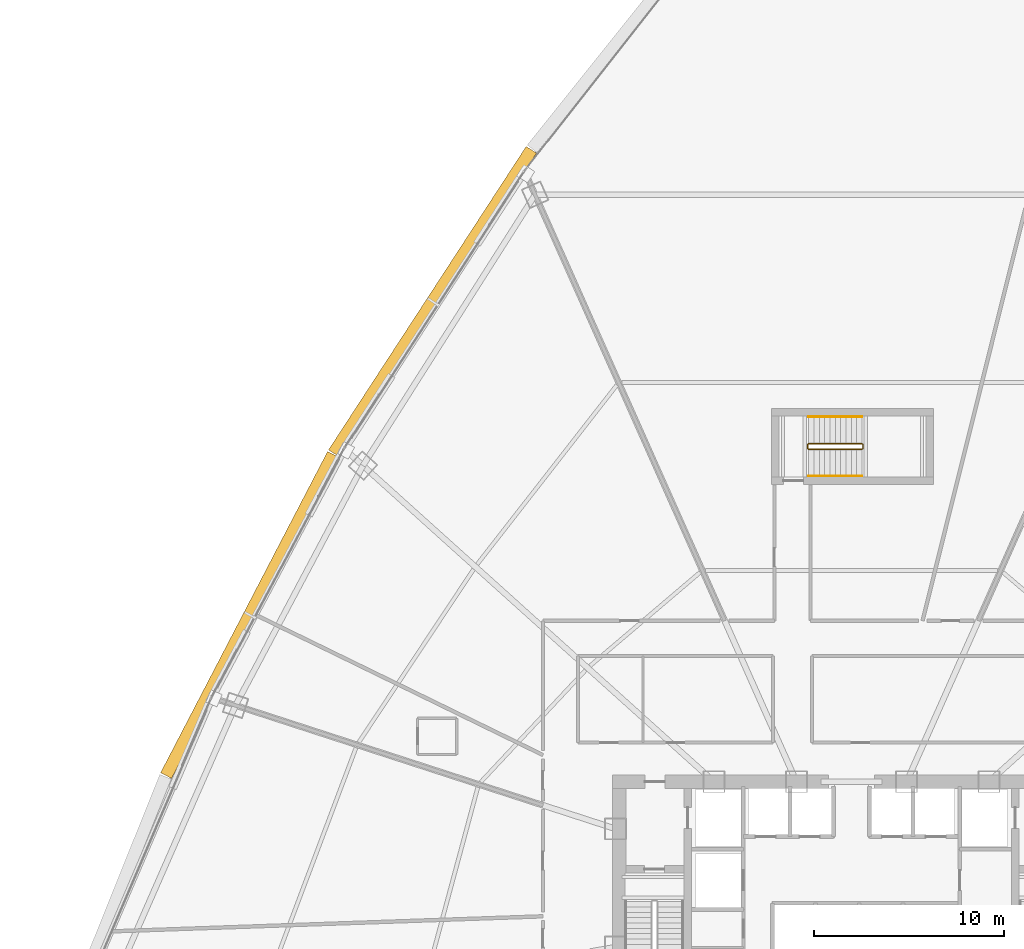
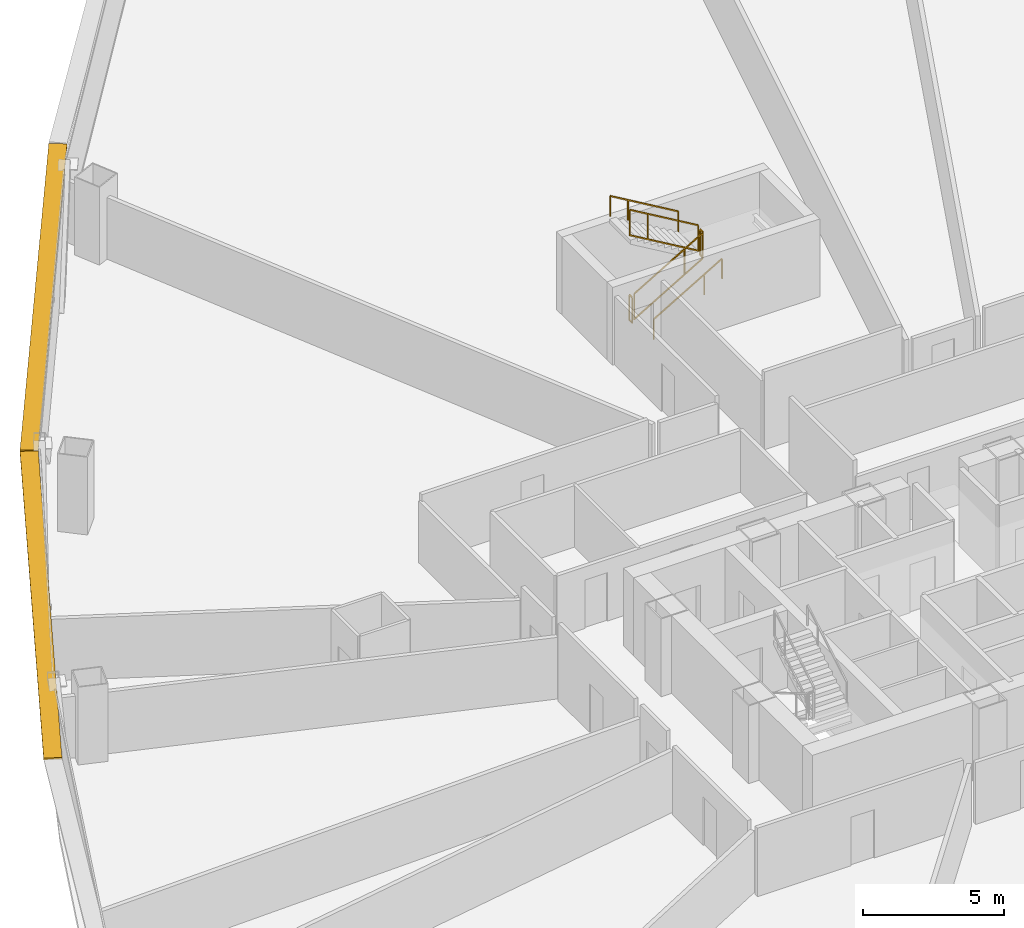
# One storey, part 36 of 37: 6 railings, 2 shading devices.
"""IFC4 building model written with IfcOpenShell, lengths in metres."""

from ifc_helpers import new_model, si_unit, direction, frame, origin, origin_2d, place, context, subcontext, project, spatial, rectangle, extrude, source, transform, mapped, material, layer, layer_set, type_object, element, save


model = new_model("IFC4")

# Units and contexts
model_context = context("Model", 3, precision=1e-05, world=origin(), true_north=direction((0.0, 1.0)))
body_context = subcontext(model_context, "Body", "Model", "MODEL_VIEW")
ifc_project = project(units=[si_unit("LENGTHUNIT", "METRE"), si_unit("AREAUNIT", "SQUARE_METRE"), si_unit("VOLUMEUNIT", "CUBIC_METRE"), si_unit("PLANEANGLEUNIT", "RADIAN"), si_unit("MASSUNIT", "GRAM", prefix="KILO"), si_unit("THERMODYNAMICTEMPERATUREUNIT", "KELVIN"), si_unit("POWERUNIT", "WATT")], contexts=[model_context])

# Site, building, storey
site_placement = place(None, origin())
site = spatial("IfcSite", under=ifc_project, at=site_placement, CompositionType="ELEMENT")
building_placement = place(site_placement, origin())
building = spatial("IfcBuilding", under=site, at=building_placement, Name="Yunzhuo Pagoda Commons", CompositionType="ELEMENT")
storey_placement = place(building_placement, frame((0.0, 0.0, 59.43994140625)))
storey = spatial("IfcBuildingStorey", under=building, at=storey_placement, Name="L15", CompositionType="ELEMENT", Elevation=59.43994140625)

# Railings
ifc_material = material(Name="Anodized aluminium 6063-T6", Category="aluminium")
railing_type_1 = type_object("IfcRailingType", Name="GR-ST3 North Well Guardrail 1155", PredefinedType="GUARDRAIL", material=ifc_material)
railing_1_placement = place(storey_placement, frame((45.75, 57.64990234375, 0.1650390625)))
element("IfcRailing", 1, at=railing_1_placement, inside=storey, type_object=railing_type_1, Name="L15 ST3 stair guard 1", PredefinedType="GUARDRAIL", context=body_context, shape_type="SweptSolid", body=[
    extrude(rectangle(XDim=0.048095703125, YDim=0.048095703125, at=origin_2d()), frame((0.0, 0.0, 1.1259765625), z_axis=(0.861555476484, 0.0, 0.507663432739), x_axis=(0.0, 1.0, 0.0)), (0.0, 0.0, 1.0), 3.25),
    extrude(rectangle(XDim=0.048095703125, YDim=0.048095703125, at=origin_2d()), frame((0.0, 0.0, 0.02392578125), z_axis=(0.861555476484, 0.0, 0.507663432739), x_axis=(0.0, 1.0, 0.0)), (0.0, 0.0, 1.0), 3.25),
    extrude(rectangle(XDim=0.0419921875, YDim=0.0419921875, at=origin_2d()), origin(), (0.0, 0.0, 1.0), 1.101806640625),
    extrude(rectangle(XDim=0.0419921875, YDim=0.0419921875, at=origin_2d()), frame((2.067626953125, 0.0, 1.218505859375)), (0.0, 0.0, 1.0), 1.101806640625),
    extrude(rectangle(XDim=0.0419921875, YDim=0.0419921875, at=origin_2d()), frame((2.800048828125, 0.0, 1.64990234375)), (0.0, 0.0, 1.0), 1.101806640625),
])
railing_2_placement = place(storey_placement, frame((48.60009765625, 57.699951171875, 1.81494140625)))
element("IfcRailing", 2, at=railing_2_placement, inside=storey, type_object=railing_type_1, Name="L15 ST3 stair guard 2", PredefinedType="GUARDRAIL", context=body_context, shape_type="SweptSolid", body=[
    extrude(rectangle(XDim=0.048095703125, YDim=0.048095703125, at=origin_2d()), frame((0.0, 0.0, 1.1259765625), z_axis=(0.0, 1.0, 0.0), x_axis=(-1.0, 0.0, 0.0)), (0.0, 0.0, 1.0), 0.199951171875),
    extrude(rectangle(XDim=0.048095703125, YDim=0.048095703125, at=origin_2d()), frame((0.0, 0.0, 0.02392578125), z_axis=(0.0, 1.0, 0.0), x_axis=(-1.0, 0.0, 0.0)), (0.0, 0.0, 1.0), 0.199951171875),
    extrude(rectangle(XDim=0.0419921875, YDim=0.0419921875, at=origin_2d()), origin(), (0.0, 0.0, 1.0), 1.101806640625),
    extrude(rectangle(XDim=0.0419921875, YDim=0.0419921875, at=origin_2d()), frame((0.0, 0.199951171875, 0.0)), (0.0, 0.0, 1.0), 1.101806640625),
])
railing_3_placement = place(storey_placement, frame((48.550048828125, 57.949951171875, 1.97998046875)))
element("IfcRailing", 3, at=railing_3_placement, inside=storey, type_object=railing_type_1, Name="L15 ST3 stair guard 3", PredefinedType="GUARDRAIL", context=body_context, shape_type="SweptSolid", body=[
    extrude(rectangle(XDim=0.048095703125, YDim=0.048095703125, at=origin_2d()), frame((0.0, 0.0, 1.1259765625), z_axis=(-0.86152261977, 0.0, 0.507719189732), x_axis=(0.0, -1.0, 0.0)), (0.0, 0.0, 1.0), 3.25),
    extrude(rectangle(XDim=0.048095703125, YDim=0.048095703125, at=origin_2d()), frame((0.0, 0.0, 0.02392578125), z_axis=(-0.86152261977, 0.0, 0.507719189732), x_axis=(0.0, -1.0, 0.0)), (0.0, 0.0, 1.0), 3.25),
    extrude(rectangle(XDim=0.0419921875, YDim=0.0419921875, at=origin_2d()), origin(), (0.0, 0.0, 1.0), 1.101806640625),
    extrude(rectangle(XDim=0.0419921875, YDim=0.0419921875, at=origin_2d()), frame((-2.067626953125, 0.0, 1.218505859375)), (0.0, 0.0, 1.0), 1.101806640625),
    extrude(rectangle(XDim=0.0419921875, YDim=0.0419921875, at=origin_2d()), frame((-2.800048828125, 0.0, 1.650146484375)), (0.0, 0.0, 1.0), 1.101806640625),
])
railing_4_placement = place(storey_placement, frame((45.699951171875, 57.699951171875, 0.0)))
element("IfcRailing", 4, at=railing_4_placement, inside=storey, type_object=railing_type_1, Name="L15 ST3 stair guard 4", PredefinedType="GUARDRAIL", context=body_context, shape_type="SweptSolid", body=[
    extrude(rectangle(XDim=0.048095703125, YDim=0.048095703125, at=origin_2d()), frame((0.0, 0.0, 1.1259765625), z_axis=(0.0, 1.0, 0.0), x_axis=(-1.0, 0.0, 0.0)), (0.0, 0.0, 1.0), 0.199951171875),
    extrude(rectangle(XDim=0.048095703125, YDim=0.048095703125, at=origin_2d()), frame((0.0, 0.0, 0.02392578125), z_axis=(0.0, 1.0, 0.0), x_axis=(-1.0, 0.0, 0.0)), (0.0, 0.0, 1.0), 0.199951171875),
    extrude(rectangle(XDim=0.0419921875, YDim=0.0419921875, at=origin_2d()), origin(), (0.0, 0.0, 1.0), 1.101806640625),
    extrude(rectangle(XDim=0.0419921875, YDim=0.0419921875, at=origin_2d()), frame((0.0, 0.199951171875, 0.0)), (0.0, 0.0, 1.0), 1.101806640625),
])
railing_type_2 = type_object("IfcRailingType", Name="HR-ST3 North Stair Handrail 900", PredefinedType="HANDRAIL", material=ifc_material)
railing_5_placement = place(storey_placement, frame((45.75, 56.25, 0.1650390625)))
element("IfcRailing", 5, at=railing_5_placement, inside=storey, type_object=railing_type_2, Name="L15 ST3 stair handrail 1", PredefinedType="HANDRAIL", context=body_context, shape_type="SweptSolid", body=[
    extrude(rectangle(XDim=0.048095703125, YDim=0.048095703125, at=origin_2d()), frame((0.0, 0.0, 0.8759765625), z_axis=(0.861555476484, 0.0, 0.507663432739), x_axis=(0.0, 1.0, 0.0)), (0.0, 0.0, 1.0), 3.25),
    extrude(rectangle(XDim=0.0419921875, YDim=0.0419921875, at=origin_2d()), origin(), (0.0, 0.0, 1.0), 0.851806640625),
    extrude(rectangle(XDim=0.0419921875, YDim=0.0419921875, at=origin_2d()), frame((2.067626953125, 0.0, 1.218505859375)), (0.0, 0.0, 1.0), 0.851806640625),
    extrude(rectangle(XDim=0.0419921875, YDim=0.0419921875, at=origin_2d()), frame((2.800048828125, 0.0, 1.64990234375)), (0.0, 0.0, 1.0), 0.851806640625),
])
railing_6_placement = place(storey_placement, frame((48.550048828125, 59.35009765625, 1.97998046875)))
element("IfcRailing", 6, at=railing_6_placement, inside=storey, type_object=railing_type_2, Name="L15 ST3 stair handrail 2", PredefinedType="HANDRAIL", context=body_context, shape_type="SweptSolid", body=[
    extrude(rectangle(XDim=0.048095703125, YDim=0.048095703125, at=origin_2d()), frame((0.0, 0.0, 0.8759765625), z_axis=(-0.86152261977, 0.0, 0.507719189732), x_axis=(0.0, -1.0, 0.0)), (0.0, 0.0, 1.0), 3.25),
    extrude(rectangle(XDim=0.0419921875, YDim=0.0419921875, at=origin_2d()), origin(), (0.0, 0.0, 1.0), 0.851806640625),
    extrude(rectangle(XDim=0.0419921875, YDim=0.0419921875, at=origin_2d()), frame((-2.067626953125, 0.0, 1.218505859375)), (0.0, 0.0, 1.0), 0.851806640625),
    extrude(rectangle(XDim=0.0419921875, YDim=0.0419921875, at=origin_2d()), frame((-2.800048828125, 0.0, 1.650146484375)), (0.0, 0.0, 1.0), 0.851806640625),
])

# Shading devices
ifc_layer = layer(ifc_material, 0.080078125)
ifc_layer_set = layer_set([ifc_layer], Name="Anodized aluminium 6063-T6")
shading_device_type = type_object("IfcShadingDeviceType", Name="SH-SUN1 Pagoda Horizontal Sunshade Eave 650", PredefinedType="USERDEFINED", material=ifc_layer_set)
shared_shape = source(origin(), body_context, "Body", "SweptSolid", [
    extrude(rectangle(XDim=19.01123046875, YDim=0.64990234375, at=origin_2d()), origin(), (0.0, 0.0, 1.0), 0.080078125),
])
for number, where, z_axis, x_axis, name in (
    (7, (26.004638671875, 65.408447265625, 3.2900390625), (0.0, 0.0, 1.0), (-0.545838756973, -0.837890238269, 0.0), "L15 horizontal pagoda sunshade eave F3.2"),
    (8, (16.39990234375, 48.95458984375, 3.2900390625), (0.0, 0.0, 1.0), (-0.461206683033, -0.88729273384, 0.0), "L15 horizontal pagoda sunshade eave F3.3"),
):
    element("IfcShadingDevice", number, at=place(storey_placement, frame(where, z_axis=z_axis, x_axis=x_axis)), inside=storey, type_object=shading_device_type, Name=name, ObjectType="SUNSHADE", PredefinedType="USERDEFINED", context=body_context, shape_type="MappedRepresentation", body=[
        mapped(shared_shape, transform((0.0, 0.0, 0.0), scale=1.0)),
    ])

save(model, "model.ifc")
